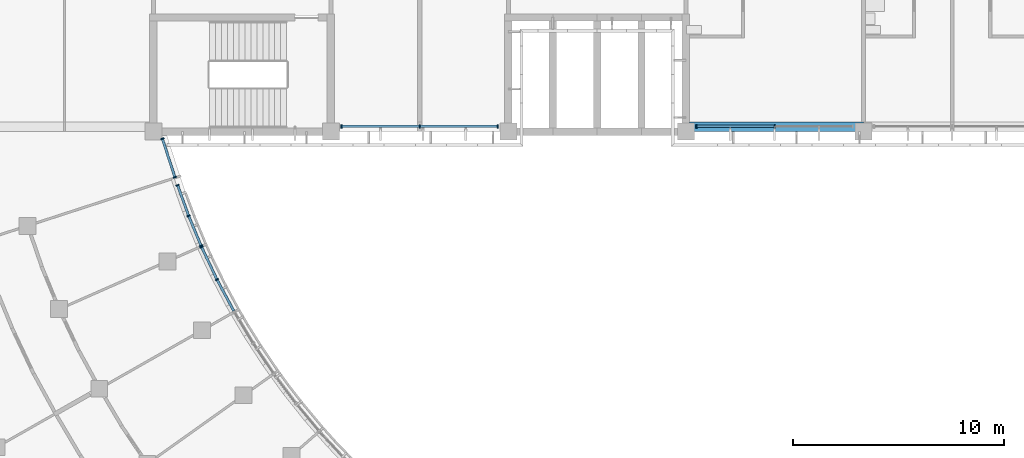
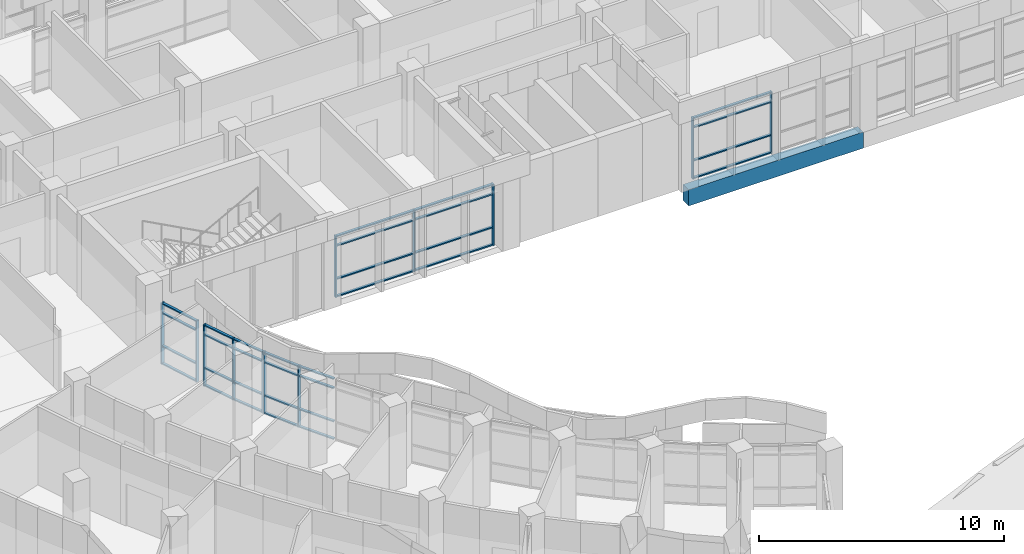
# One storey, part 21 of 137: 44 members, 1 beam, 5 elements without a shape of their own.
"""IFC4 building model written with IfcOpenShell, lengths in metres."""

from ifc_helpers import new_model, si_unit, direction, frame, origin, origin_2d, place, context, subcontext, project, spatial, rectangle, extrude, material, material_profile, profile_set, type_object, element, aggregate, save


model = new_model("IFC4")

# Units and contexts
model_context = context("Model", 3, precision=1e-05, world=origin(), true_north=direction((0.0, 1.0)))
body_context = subcontext(model_context, "Body", "Model", "MODEL_VIEW")
ifc_project = project(units=[si_unit("LENGTHUNIT", "METRE"), si_unit("AREAUNIT", "SQUARE_METRE"), si_unit("VOLUMEUNIT", "CUBIC_METRE"), si_unit("PLANEANGLEUNIT", "RADIAN"), si_unit("MASSUNIT", "GRAM", prefix="KILO")], contexts=[model_context])

# Site, building, storey
site_placement = place(None, origin())
site = spatial("IfcSite", under=ifc_project, at=site_placement, CompositionType="ELEMENT")
building_placement = place(site_placement, origin())
building = spatial("IfcBuilding", under=site, at=building_placement, Name="Bougainvillea Quay General Hospital", CompositionType="ELEMENT")
storey_placement = place(building_placement, frame((0.0, 0.0, 16.800048828125)))
storey = spatial("IfcBuildingStorey", under=building, at=storey_placement, Name="L03", CompositionType="ELEMENT", Elevation=16.800048828125)

# Curtain wall, members
ifc_material_1 = material(Name="Aluminium curtain wall system, powder-coated glazed", Category="aluminium")
curtain_wall_type_1 = type_object("IfcCurtainWallType", Name="Unitised curtain wall CW-2100", PredefinedType="NOTDEFINED", material=ifc_material_1)
curtain_wall_1_placement = place(storey_placement, origin())
curtain_wall_1 = element("IfcCurtainWall", 1, at=curtain_wall_1_placement, inside=storey, type_object=curtain_wall_type_1, Name="CW-W07 a03b6", PredefinedType="NOTDEFINED")
ifc_material_2 = material(Name="Aluminium mullion, powder-coated charcoal", Category="aluminium")
ifc_material_profile_1 = material_profile(ifc_material_2, rectangle(XDim=0.159912109375, YDim=0.06005859375, at=origin_2d()))
ifc_profile_set_1 = profile_set([ifc_material_profile_1], Name="Aluminium mullion, powder-coated charcoal")
member_type_1 = type_object("IfcMemberType", Name="Curtain wall mullion 160x60", PredefinedType="MULLION", material=ifc_profile_set_1)
member_1_placement = place(storey_placement, frame((78.60791015625, 110.59912109375, 0.0), z_axis=(0.0, 0.0, 1.0), x_axis=(-0.893198796365, -0.449661995473, 0.0)))
member_1 = element("IfcMember", 2, at=member_1_placement, type_object=member_type_1, Name="CW-W07 mullion 2", PredefinedType="MULLION", context=body_context, shape_type="SweptSolid", body=[
    extrude(rectangle(XDim=0.159912109375, YDim=0.06005859375, at=origin_2d()), origin(), (0.0, 0.0, 1.0), 3.050048828125),
])
member_2_placement = place(storey_placement, frame((77.87939453125, 112.142822265625, 0.0), z_axis=(0.0, 0.0, 1.0), x_axis=(-0.904313640176, -0.426868645126, 0.0)))
member_2 = element("IfcMember", 3, at=member_2_placement, type_object=member_type_1, Name="CW-W07 mullion 3", PredefinedType="MULLION", context=body_context, shape_type="SweptSolid", body=[
    extrude(rectangle(XDim=0.159912109375, YDim=0.06005859375, at=origin_2d()), origin(), (0.0, 0.0, 1.0), 3.050048828125),
])

curtain_wall_2_placement = place(storey_placement, origin())
curtain_wall_2 = element("IfcCurtainWall", 4, at=curtain_wall_2_placement, inside=storey, type_object=curtain_wall_type_1, Name="CW-W08 a03b7", PredefinedType="NOTDEFINED")
member_3_placement = place(storey_placement, frame((77.85498046875, 112.197509765625, 0.0), z_axis=(0.0, 0.0, 1.0), x_axis=(-0.923843470036, -0.382770483282, 0.0)))
member_3 = element("IfcMember", 5, at=member_3_placement, type_object=member_type_1, Name="CW-W08 mullion 1", PredefinedType="MULLION", context=body_context, shape_type="SweptSolid", body=[
    extrude(rectangle(XDim=0.159912109375, YDim=0.06005859375, at=origin_2d()), origin(), (0.0, 0.0, 1.0), 3.050048828125),
])
member_4_placement = place(storey_placement, frame((77.266845703125, 113.6171875, 0.0), z_axis=(0.0, 0.0, 1.0), x_axis=(-0.932356633806, -0.361539911211, 0.0)))
member_4 = element("IfcMember", 6, at=member_4_placement, type_object=member_type_1, Name="CW-W08 mullion 2", PredefinedType="MULLION", context=body_context, shape_type="SweptSolid", body=[
    extrude(rectangle(XDim=0.159912109375, YDim=0.06005859375, at=origin_2d()), origin(), (0.0, 0.0, 1.0), 3.050048828125),
])
member_5_placement = place(storey_placement, frame((76.744140625, 115.0625, 0.0), z_axis=(0.0, 0.0, 1.0), x_axis=(-0.940381978185, -0.340120177444, 0.0)))
member_5 = element("IfcMember", 7, at=member_5_placement, type_object=member_type_1, Name="CW-W08 mullion 3", PredefinedType="MULLION", context=body_context, shape_type="SweptSolid", body=[
    extrude(rectangle(XDim=0.159912109375, YDim=0.06005859375, at=origin_2d()), origin(), (0.0, 0.0, 1.0), 3.050048828125),
])

curtain_wall_type_2 = type_object("IfcCurtainWallType", Name="Unitised curtain wall CW-1975", PredefinedType="NOTDEFINED", material=ifc_material_1)
curtain_wall_3_placement = place(storey_placement, origin())
curtain_wall_3 = element("IfcCurtainWall", 8, at=curtain_wall_3_placement, inside=storey, type_object=curtain_wall_type_2, Name="CW-AE 00", PredefinedType="NOTDEFINED")
member_6_placement = place(storey_placement, frame((76.616943359375, 115.4443359375, 0.0), z_axis=(0.0, 0.0, 1.0), x_axis=(-0.951071619809, -0.308970506674, 0.0)))
member_6 = element("IfcMember", 9, at=member_6_placement, type_object=member_type_1, Name="CW-AE mullion 1", PredefinedType="MULLION", context=body_context, shape_type="SweptSolid", body=[
    extrude(rectangle(XDim=0.159912109375, YDim=0.06005859375, at=origin_2d()), origin(), (0.0, 0.0, 1.0), 3.050048828125),
])
member_7_placement = place(storey_placement, frame((76.025390625, 117.26513671875, 0.0), z_axis=(0.0, 0.0, 1.0), x_axis=(-0.951071619809, -0.308970506674, 0.0)))
member_7 = element("IfcMember", 10, at=member_7_placement, type_object=member_type_1, Name="CW-AE mullion 2", PredefinedType="MULLION", context=body_context, shape_type="SweptSolid", body=[
    extrude(rectangle(XDim=0.159912109375, YDim=0.06005859375, at=origin_2d()), origin(), (0.0, 0.0, 1.0), 3.050048828125),
])

curtain_wall_type_3 = type_object("IfcCurtainWallType", Name="Unitised curtain wall CW-3730", PredefinedType="NOTDEFINED", material=ifc_material_1)
curtain_wall_4_placement = place(storey_placement, origin())
curtain_wall_4 = element("IfcCurtainWall", 11, at=curtain_wall_4_placement, inside=storey, type_object=curtain_wall_type_3, Name="CW-4200 00", PredefinedType="NOTDEFINED")
member_8_placement = place(storey_placement, frame((84.5, 117.85009765625, 0.0), z_axis=(0.0, 0.0, 1.0), x_axis=(0.0, 1.0, 0.0)))
member_8 = element("IfcMember", 12, at=member_8_placement, type_object=member_type_1, Name="CW-4200 mullion 1", PredefinedType="MULLION", context=body_context, shape_type="SweptSolid", body=[
    extrude(rectangle(XDim=0.159912109375, YDim=0.06005859375, at=origin_2d()), origin(), (0.0, 0.0, 1.0), 3.050048828125),
])
member_9_placement = place(storey_placement, frame((88.199951171875, 117.85009765625, 0.0), z_axis=(0.0, 0.0, 1.0), x_axis=(0.0, 1.0, 0.0)))
member_9 = element("IfcMember", 13, at=member_9_placement, type_object=member_type_1, Name="CW-4200 mullion 2", PredefinedType="MULLION", context=body_context, shape_type="SweptSolid", body=[
    extrude(rectangle(XDim=0.159912109375, YDim=0.06005859375, at=origin_2d()), origin(), (0.0, 0.0, 1.0), 3.050048828125),
])
member_10_placement = place(storey_placement, frame((91.89990234375, 117.85009765625, 0.0), z_axis=(0.0, 0.0, 1.0), x_axis=(0.0, 1.0, 0.0)))
member_10 = element("IfcMember", 14, at=member_10_placement, type_object=member_type_1, Name="CW-4200 mullion 3", PredefinedType="MULLION", context=body_context, shape_type="SweptSolid", body=[
    extrude(rectangle(XDim=0.159912109375, YDim=0.06005859375, at=origin_2d()), origin(), (0.0, 0.0, 1.0), 3.050048828125),
])

curtain_wall_5_placement = place(storey_placement, origin())
curtain_wall_5 = element("IfcCurtainWall", 15, at=curtain_wall_5_placement, inside=storey, type_object=curtain_wall_type_3, Name="CW-4200 00", PredefinedType="NOTDEFINED")
member_11_placement = place(storey_placement, frame((101.300048828125, 117.85009765625, 0.0), z_axis=(0.0, 0.0, 1.0), x_axis=(0.0, 1.0, 0.0)))
member_11 = element("IfcMember", 16, at=member_11_placement, type_object=member_type_1, Name="CW-4200 mullion 1", PredefinedType="MULLION", context=body_context, shape_type="SweptSolid", body=[
    extrude(rectangle(XDim=0.159912109375, YDim=0.06005859375, at=origin_2d()), origin(), (0.0, 0.0, 1.0), 3.050048828125),
])
member_12_placement = place(storey_placement, frame((105.0, 117.85009765625, 0.0), z_axis=(0.0, 0.0, 1.0), x_axis=(0.0, 1.0, 0.0)))
member_12 = element("IfcMember", 17, at=member_12_placement, type_object=member_type_1, Name="CW-4200 mullion 2", PredefinedType="MULLION", context=body_context, shape_type="SweptSolid", body=[
    extrude(rectangle(XDim=0.159912109375, YDim=0.06005859375, at=origin_2d()), origin(), (0.0, 0.0, 1.0), 3.050048828125),
])

# Member
ifc_material_3 = material(Name="Aluminium transom, powder-coated charcoal", Category="aluminium")
ifc_material_profile_2 = material_profile(ifc_material_3, rectangle(XDim=0.1201171875, YDim=0.06005859375, at=origin_2d()))
ifc_profile_set_2 = profile_set([ifc_material_profile_2], Name="Aluminium transom, powder-coated charcoal")
member_type_2 = type_object("IfcMemberType", Name="Curtain wall transom 120x60", PredefinedType="USERDEFINED", material=ifc_profile_set_2)
member_13_placement = place(storey_placement, frame((79.39990234375, 109.120849609375, 0.030029296875), z_axis=(-0.472233752021, 0.881473359468, 0.0), x_axis=(-0.881473359468, -0.472233752021, 0.0)))
member_13 = element("IfcMember", 18, at=member_13_placement, type_object=member_type_2, Name="CW-W07 transom 1.1", ObjectType="TRANSOM", PredefinedType="USERDEFINED", context=body_context, shape_type="SweptSolid", body=[
    extrude(rectangle(XDim=0.1201171875, YDim=0.06005859375, at=origin_2d()), origin(), (0.0, 0.0, 1.0), 1.647216796875),
])

member_14_placement = place(storey_placement, frame((79.39990234375, 109.120849609375, 0.89990234375), z_axis=(-0.472233752021, 0.881473359468, 0.0), x_axis=(-0.881473359468, -0.472233752021, 0.0)))
member_14 = element("IfcMember", 19, at=member_14_placement, type_object=member_type_2, Name="CW-W07 transom 1.2", ObjectType="TRANSOM", PredefinedType="USERDEFINED", context=body_context, shape_type="SweptSolid", body=[
    extrude(rectangle(XDim=0.1201171875, YDim=0.06005859375, at=origin_2d()), origin(), (0.0, 0.0, 1.0), 1.647216796875),
])

member_15_placement = place(storey_placement, frame((79.39990234375, 109.120849609375, 2.550048828125), z_axis=(-0.472233752021, 0.881473359468, 0.0), x_axis=(-0.881473359468, -0.472233752021, 0.0)))
member_15 = element("IfcMember", 20, at=member_15_placement, type_object=member_type_2, Name="CW-W07 transom 1.3", ObjectType="TRANSOM", PredefinedType="USERDEFINED", context=body_context, shape_type="SweptSolid", body=[
    extrude(rectangle(XDim=0.1201171875, YDim=0.06005859375, at=origin_2d()), origin(), (0.0, 0.0, 1.0), 1.647216796875),
])

member_16_placement = place(storey_placement, frame((79.39990234375, 109.120849609375, 3.02001953125), z_axis=(-0.472233752021, 0.881473359468, 0.0), x_axis=(-0.881473359468, -0.472233752021, 0.0)))
member_16 = element("IfcMember", 21, at=member_16_placement, type_object=member_type_2, Name="CW-W07 transom 1.4", ObjectType="TRANSOM", PredefinedType="USERDEFINED", context=body_context, shape_type="SweptSolid", body=[
    extrude(rectangle(XDim=0.1201171875, YDim=0.06005859375, at=origin_2d()), origin(), (0.0, 0.0, 1.0), 1.647216796875),
])

member_17_placement = place(storey_placement, frame((78.59521484375, 110.626220703125, 0.030029296875), z_axis=(-0.426938963693, 0.904280443934, 0.0), x_axis=(-0.904280443934, -0.426938963693, 0.0)))
member_17 = element("IfcMember", 22, at=member_17_placement, type_object=member_type_2, Name="CW-W07 transom 2.1", ObjectType="TRANSOM", PredefinedType="USERDEFINED", context=body_context, shape_type="SweptSolid", body=[
    extrude(rectangle(XDim=0.1201171875, YDim=0.06005859375, at=origin_2d()), origin(), (0.0, 0.0, 1.0), 1.64697265625),
])

member_18_placement = place(storey_placement, frame((78.59521484375, 110.626220703125, 0.89990234375), z_axis=(-0.426938963693, 0.904280443934, 0.0), x_axis=(-0.904280443934, -0.426938963693, 0.0)))
member_18 = element("IfcMember", 23, at=member_18_placement, type_object=member_type_2, Name="CW-W07 transom 2.2", ObjectType="TRANSOM", PredefinedType="USERDEFINED", context=body_context, shape_type="SweptSolid", body=[
    extrude(rectangle(XDim=0.1201171875, YDim=0.06005859375, at=origin_2d()), origin(), (0.0, 0.0, 1.0), 1.64697265625),
])

member_19_placement = place(storey_placement, frame((78.59521484375, 110.626220703125, 2.550048828125), z_axis=(-0.426938963693, 0.904280443934, 0.0), x_axis=(-0.904280443934, -0.426938963693, 0.0)))
member_19 = element("IfcMember", 24, at=member_19_placement, type_object=member_type_2, Name="CW-W07 transom 2.3", ObjectType="TRANSOM", PredefinedType="USERDEFINED", context=body_context, shape_type="SweptSolid", body=[
    extrude(rectangle(XDim=0.1201171875, YDim=0.06005859375, at=origin_2d()), origin(), (0.0, 0.0, 1.0), 1.64697265625),
])

member_20_placement = place(storey_placement, frame((78.59521484375, 110.626220703125, 3.02001953125), z_axis=(-0.426938963693, 0.904280443934, 0.0), x_axis=(-0.904280443934, -0.426938963693, 0.0)))
member_20 = element("IfcMember", 25, at=member_20_placement, type_object=member_type_2, Name="CW-W07 transom 2.4", ObjectType="TRANSOM", PredefinedType="USERDEFINED", context=body_context, shape_type="SweptSolid", body=[
    extrude(rectangle(XDim=0.1201171875, YDim=0.06005859375, at=origin_2d()), origin(), (0.0, 0.0, 1.0), 1.64697265625),
])

aggregate(curtain_wall_1, [member_1, member_2, member_13, member_14, member_15, member_16, member_17, member_18, member_19, member_20])

member_21_placement = place(storey_placement, frame((77.843505859375, 112.225341796875, 0.030029296875), z_axis=(-0.382736296067, 0.923857633877, 0.0), x_axis=(-0.923857633877, -0.382736296067, 0.0)))
member_21 = element("IfcMember", 26, at=member_21_placement, type_object=member_type_2, Name="CW-W08 transom 1.1", ObjectType="TRANSOM", PredefinedType="USERDEFINED", context=body_context, shape_type="SweptSolid", body=[
    extrude(rectangle(XDim=0.1201171875, YDim=0.06005859375, at=origin_2d()), origin(), (0.0, 0.0, 1.0), 1.476806640625),
])

member_22_placement = place(storey_placement, frame((77.843505859375, 112.225341796875, 0.89990234375), z_axis=(-0.382736296067, 0.923857633877, 0.0), x_axis=(-0.923857633877, -0.382736296067, 0.0)))
member_22 = element("IfcMember", 27, at=member_22_placement, type_object=member_type_2, Name="CW-W08 transom 1.2", ObjectType="TRANSOM", PredefinedType="USERDEFINED", context=body_context, shape_type="SweptSolid", body=[
    extrude(rectangle(XDim=0.1201171875, YDim=0.06005859375, at=origin_2d()), origin(), (0.0, 0.0, 1.0), 1.476806640625),
])

member_23_placement = place(storey_placement, frame((77.843505859375, 112.225341796875, 2.550048828125), z_axis=(-0.382736296067, 0.923857633877, 0.0), x_axis=(-0.923857633877, -0.382736296067, 0.0)))
member_23 = element("IfcMember", 28, at=member_23_placement, type_object=member_type_2, Name="CW-W08 transom 1.3", ObjectType="TRANSOM", PredefinedType="USERDEFINED", context=body_context, shape_type="SweptSolid", body=[
    extrude(rectangle(XDim=0.1201171875, YDim=0.06005859375, at=origin_2d()), origin(), (0.0, 0.0, 1.0), 1.476806640625),
])

member_24_placement = place(storey_placement, frame((77.843505859375, 112.225341796875, 3.02001953125), z_axis=(-0.382736296067, 0.923857633877, 0.0), x_axis=(-0.923857633877, -0.382736296067, 0.0)))
member_24 = element("IfcMember", 29, at=member_24_placement, type_object=member_type_2, Name="CW-W08 transom 1.4", ObjectType="TRANSOM", PredefinedType="USERDEFINED", context=body_context, shape_type="SweptSolid", body=[
    extrude(rectangle(XDim=0.1201171875, YDim=0.06005859375, at=origin_2d()), origin(), (0.0, 0.0, 1.0), 1.476806640625),
])

member_25_placement = place(storey_placement, frame((77.256591796875, 113.6455078125, 0.030029296875), z_axis=(-0.340083199438, 0.940395351679, 0.0), x_axis=(-0.940395351679, -0.340083199438, 0.0)))
member_25 = element("IfcMember", 30, at=member_25_placement, type_object=member_type_2, Name="CW-W08 transom 2.1", ObjectType="TRANSOM", PredefinedType="USERDEFINED", context=body_context, shape_type="SweptSolid", body=[
    extrude(rectangle(XDim=0.1201171875, YDim=0.06005859375, at=origin_2d()), origin(), (0.0, 0.0, 1.0), 1.476806640625),
])

member_26_placement = place(storey_placement, frame((77.256591796875, 113.6455078125, 0.89990234375), z_axis=(-0.340083199438, 0.940395351679, 0.0), x_axis=(-0.940395351679, -0.340083199438, 0.0)))
member_26 = element("IfcMember", 31, at=member_26_placement, type_object=member_type_2, Name="CW-W08 transom 2.2", ObjectType="TRANSOM", PredefinedType="USERDEFINED", context=body_context, shape_type="SweptSolid", body=[
    extrude(rectangle(XDim=0.1201171875, YDim=0.06005859375, at=origin_2d()), origin(), (0.0, 0.0, 1.0), 1.476806640625),
])

member_27_placement = place(storey_placement, frame((77.256591796875, 113.6455078125, 2.550048828125), z_axis=(-0.340083199438, 0.940395351679, 0.0), x_axis=(-0.940395351679, -0.340083199438, 0.0)))
member_27 = element("IfcMember", 32, at=member_27_placement, type_object=member_type_2, Name="CW-W08 transom 2.3", ObjectType="TRANSOM", PredefinedType="USERDEFINED", context=body_context, shape_type="SweptSolid", body=[
    extrude(rectangle(XDim=0.1201171875, YDim=0.06005859375, at=origin_2d()), origin(), (0.0, 0.0, 1.0), 1.476806640625),
])

member_28_placement = place(storey_placement, frame((77.256591796875, 113.6455078125, 3.02001953125), z_axis=(-0.340083199438, 0.940395351679, 0.0), x_axis=(-0.940395351679, -0.340083199438, 0.0)))
member_28 = element("IfcMember", 33, at=member_28_placement, type_object=member_type_2, Name="CW-W08 transom 2.4", ObjectType="TRANSOM", PredefinedType="USERDEFINED", context=body_context, shape_type="SweptSolid", body=[
    extrude(rectangle(XDim=0.1201171875, YDim=0.06005859375, at=origin_2d()), origin(), (0.0, 0.0, 1.0), 1.476806640625),
])

aggregate(curtain_wall_2, [member_3, member_4, member_5, member_21, member_22, member_23, member_24, member_25, member_26, member_27, member_28])

member_29_placement = place(storey_placement, frame((76.607666015625, 115.472900390625, 0.030029296875), z_axis=(-0.308990809902, 0.951065023747, 0.0), x_axis=(-0.951065023747, -0.308990809902, 0.0)))
member_29 = element("IfcMember", 34, at=member_29_placement, type_object=member_type_2, Name="CW-AE transom 1.1", ObjectType="TRANSOM", PredefinedType="USERDEFINED", context=body_context, shape_type="SweptSolid", body=[
    extrude(rectangle(XDim=0.1201171875, YDim=0.06005859375, at=origin_2d()), origin(), (0.0, 0.0, 1.0), 1.8544921875),
])

member_30_placement = place(storey_placement, frame((76.607666015625, 115.472900390625, 0.89990234375), z_axis=(-0.308990809902, 0.951065023747, 0.0), x_axis=(-0.951065023747, -0.308990809902, 0.0)))
member_30 = element("IfcMember", 35, at=member_30_placement, type_object=member_type_2, Name="CW-AE transom 1.2", ObjectType="TRANSOM", PredefinedType="USERDEFINED", context=body_context, shape_type="SweptSolid", body=[
    extrude(rectangle(XDim=0.1201171875, YDim=0.06005859375, at=origin_2d()), origin(), (0.0, 0.0, 1.0), 1.8544921875),
])

member_31_placement = place(storey_placement, frame((76.607666015625, 115.472900390625, 2.550048828125), z_axis=(-0.308990809902, 0.951065023747, 0.0), x_axis=(-0.951065023747, -0.308990809902, 0.0)))
member_31 = element("IfcMember", 36, at=member_31_placement, type_object=member_type_2, Name="CW-AE transom 1.3", ObjectType="TRANSOM", PredefinedType="USERDEFINED", context=body_context, shape_type="SweptSolid", body=[
    extrude(rectangle(XDim=0.1201171875, YDim=0.06005859375, at=origin_2d()), origin(), (0.0, 0.0, 1.0), 1.8544921875),
])

member_32_placement = place(storey_placement, frame((76.607666015625, 115.472900390625, 3.02001953125), z_axis=(-0.308990809902, 0.951065023747, 0.0), x_axis=(-0.951065023747, -0.308990809902, 0.0)))
member_32 = element("IfcMember", 37, at=member_32_placement, type_object=member_type_2, Name="CW-AE transom 1.4", ObjectType="TRANSOM", PredefinedType="USERDEFINED", context=body_context, shape_type="SweptSolid", body=[
    extrude(rectangle(XDim=0.1201171875, YDim=0.06005859375, at=origin_2d()), origin(), (0.0, 0.0, 1.0), 1.8544921875),
])

aggregate(curtain_wall_3, [member_6, member_7, member_29, member_30, member_31, member_32])

member_33_placement = place(storey_placement, frame((84.530029296875, 117.85009765625, 0.030029296875), z_axis=(1.0, 0.0, 0.0), x_axis=(0.0, 1.0, 0.0)))
member_33 = element("IfcMember", 38, at=member_33_placement, type_object=member_type_2, Name="CW-4200 transom 1.1", ObjectType="TRANSOM", PredefinedType="USERDEFINED", context=body_context, shape_type="SweptSolid", body=[
    extrude(rectangle(XDim=0.1201171875, YDim=0.06005859375, at=origin_2d()), origin(), (0.0, 0.0, 1.0), 3.639892578125),
])

member_34_placement = place(storey_placement, frame((84.530029296875, 117.85009765625, 0.89990234375), z_axis=(1.0, 0.0, 0.0), x_axis=(0.0, 1.0, 0.0)))
member_34 = element("IfcMember", 39, at=member_34_placement, type_object=member_type_2, Name="CW-4200 transom 1.2", ObjectType="TRANSOM", PredefinedType="USERDEFINED", context=body_context, shape_type="SweptSolid", body=[
    extrude(rectangle(XDim=0.1201171875, YDim=0.06005859375, at=origin_2d()), origin(), (0.0, 0.0, 1.0), 3.639892578125),
])

member_35_placement = place(storey_placement, frame((84.530029296875, 117.85009765625, 2.550048828125), z_axis=(1.0, 0.0, 0.0), x_axis=(0.0, 1.0, 0.0)))
member_35 = element("IfcMember", 40, at=member_35_placement, type_object=member_type_2, Name="CW-4200 transom 1.3", ObjectType="TRANSOM", PredefinedType="USERDEFINED", context=body_context, shape_type="SweptSolid", body=[
    extrude(rectangle(XDim=0.1201171875, YDim=0.06005859375, at=origin_2d()), origin(), (0.0, 0.0, 1.0), 3.639892578125),
])

member_36_placement = place(storey_placement, frame((84.530029296875, 117.85009765625, 3.02001953125), z_axis=(1.0, 0.0, 0.0), x_axis=(0.0, 1.0, 0.0)))
member_36 = element("IfcMember", 41, at=member_36_placement, type_object=member_type_2, Name="CW-4200 transom 1.4", ObjectType="TRANSOM", PredefinedType="USERDEFINED", context=body_context, shape_type="SweptSolid", body=[
    extrude(rectangle(XDim=0.1201171875, YDim=0.06005859375, at=origin_2d()), origin(), (0.0, 0.0, 1.0), 3.639892578125),
])

member_37_placement = place(storey_placement, frame((88.22998046875, 117.85009765625, 0.030029296875), z_axis=(1.0, 0.0, 0.0), x_axis=(0.0, 1.0, 0.0)))
member_37 = element("IfcMember", 42, at=member_37_placement, type_object=member_type_2, Name="CW-4200 transom 2.1", ObjectType="TRANSOM", PredefinedType="USERDEFINED", context=body_context, shape_type="SweptSolid", body=[
    extrude(rectangle(XDim=0.1201171875, YDim=0.06005859375, at=origin_2d()), origin(), (0.0, 0.0, 1.0), 3.64013671875),
])

member_38_placement = place(storey_placement, frame((88.22998046875, 117.85009765625, 0.89990234375), z_axis=(1.0, 0.0, 0.0), x_axis=(0.0, 1.0, 0.0)))
member_38 = element("IfcMember", 43, at=member_38_placement, type_object=member_type_2, Name="CW-4200 transom 2.2", ObjectType="TRANSOM", PredefinedType="USERDEFINED", context=body_context, shape_type="SweptSolid", body=[
    extrude(rectangle(XDim=0.1201171875, YDim=0.06005859375, at=origin_2d()), origin(), (0.0, 0.0, 1.0), 3.64013671875),
])

member_39_placement = place(storey_placement, frame((88.22998046875, 117.85009765625, 2.550048828125), z_axis=(1.0, 0.0, 0.0), x_axis=(0.0, 1.0, 0.0)))
member_39 = element("IfcMember", 44, at=member_39_placement, type_object=member_type_2, Name="CW-4200 transom 2.3", ObjectType="TRANSOM", PredefinedType="USERDEFINED", context=body_context, shape_type="SweptSolid", body=[
    extrude(rectangle(XDim=0.1201171875, YDim=0.06005859375, at=origin_2d()), origin(), (0.0, 0.0, 1.0), 3.64013671875),
])

member_40_placement = place(storey_placement, frame((88.22998046875, 117.85009765625, 3.02001953125), z_axis=(1.0, 0.0, 0.0), x_axis=(0.0, 1.0, 0.0)))
member_40 = element("IfcMember", 45, at=member_40_placement, type_object=member_type_2, Name="CW-4200 transom 2.4", ObjectType="TRANSOM", PredefinedType="USERDEFINED", context=body_context, shape_type="SweptSolid", body=[
    extrude(rectangle(XDim=0.1201171875, YDim=0.06005859375, at=origin_2d()), origin(), (0.0, 0.0, 1.0), 3.64013671875),
])

aggregate(curtain_wall_4, [member_8, member_9, member_10, member_33, member_34, member_35, member_36, member_37, member_38, member_39, member_40])

member_41_placement = place(storey_placement, frame((101.330078125, 117.85009765625, 0.030029296875), z_axis=(1.0, 0.0, 0.0), x_axis=(0.0, 1.0, 0.0)))
member_41 = element("IfcMember", 46, at=member_41_placement, type_object=member_type_2, Name="CW-4200 transom 1.1", ObjectType="TRANSOM", PredefinedType="USERDEFINED", context=body_context, shape_type="SweptSolid", body=[
    extrude(rectangle(XDim=0.1201171875, YDim=0.06005859375, at=origin_2d()), origin(), (0.0, 0.0, 1.0), 3.639892578125),
])

member_42_placement = place(storey_placement, frame((101.330078125, 117.85009765625, 0.89990234375), z_axis=(1.0, 0.0, 0.0), x_axis=(0.0, 1.0, 0.0)))
member_42 = element("IfcMember", 47, at=member_42_placement, type_object=member_type_2, Name="CW-4200 transom 1.2", ObjectType="TRANSOM", PredefinedType="USERDEFINED", context=body_context, shape_type="SweptSolid", body=[
    extrude(rectangle(XDim=0.1201171875, YDim=0.06005859375, at=origin_2d()), origin(), (0.0, 0.0, 1.0), 3.639892578125),
])

member_43_placement = place(storey_placement, frame((101.330078125, 117.85009765625, 2.550048828125), z_axis=(1.0, 0.0, 0.0), x_axis=(0.0, 1.0, 0.0)))
member_43 = element("IfcMember", 48, at=member_43_placement, type_object=member_type_2, Name="CW-4200 transom 1.3", ObjectType="TRANSOM", PredefinedType="USERDEFINED", context=body_context, shape_type="SweptSolid", body=[
    extrude(rectangle(XDim=0.1201171875, YDim=0.06005859375, at=origin_2d()), origin(), (0.0, 0.0, 1.0), 3.639892578125),
])

member_44_placement = place(storey_placement, frame((101.330078125, 117.85009765625, 3.02001953125), z_axis=(1.0, 0.0, 0.0), x_axis=(0.0, 1.0, 0.0)))
member_44 = element("IfcMember", 49, at=member_44_placement, type_object=member_type_2, Name="CW-4200 transom 1.4", ObjectType="TRANSOM", PredefinedType="USERDEFINED", context=body_context, shape_type="SweptSolid", body=[
    extrude(rectangle(XDim=0.1201171875, YDim=0.06005859375, at=origin_2d()), origin(), (0.0, 0.0, 1.0), 3.639892578125),
])

aggregate(curtain_wall_5, [member_11, member_12, member_41, member_42, member_43, member_44])

# Beam
ifc_material_4 = material(Name="Concrete C40", Category="concrete")
ifc_material_profile_3 = material_profile(ifc_material_4, rectangle(XDim=0.449951171875, YDim=0.800048828125, at=origin_2d()))
ifc_profile_set_3 = profile_set([ifc_material_profile_3], Name="Concrete C40")
beam_type = type_object("IfcBeamType", Name="RC BEAM 450x800 C40", PredefinedType="BEAM", material=ifc_profile_set_3)
beam_placement = place(storey_placement, frame((100.97509765625, 117.824951171875, -0.699951171875), z_axis=(1.0, 0.0, 0.0), x_axis=(0.0, 1.0, 0.0)))
element("IfcBeam", 50, at=beam_placement, inside=storey, type_object=beam_type, Name="Edge beam L03", PredefinedType="BEAM", context=body_context, shape_type="SweptSolid", body=[
    extrude(rectangle(XDim=0.449951171875, YDim=0.800048828125, at=origin_2d()), origin(), (0.0, 0.0, 1.0), 8.224853515625),
])

save(model, "model.ifc")
